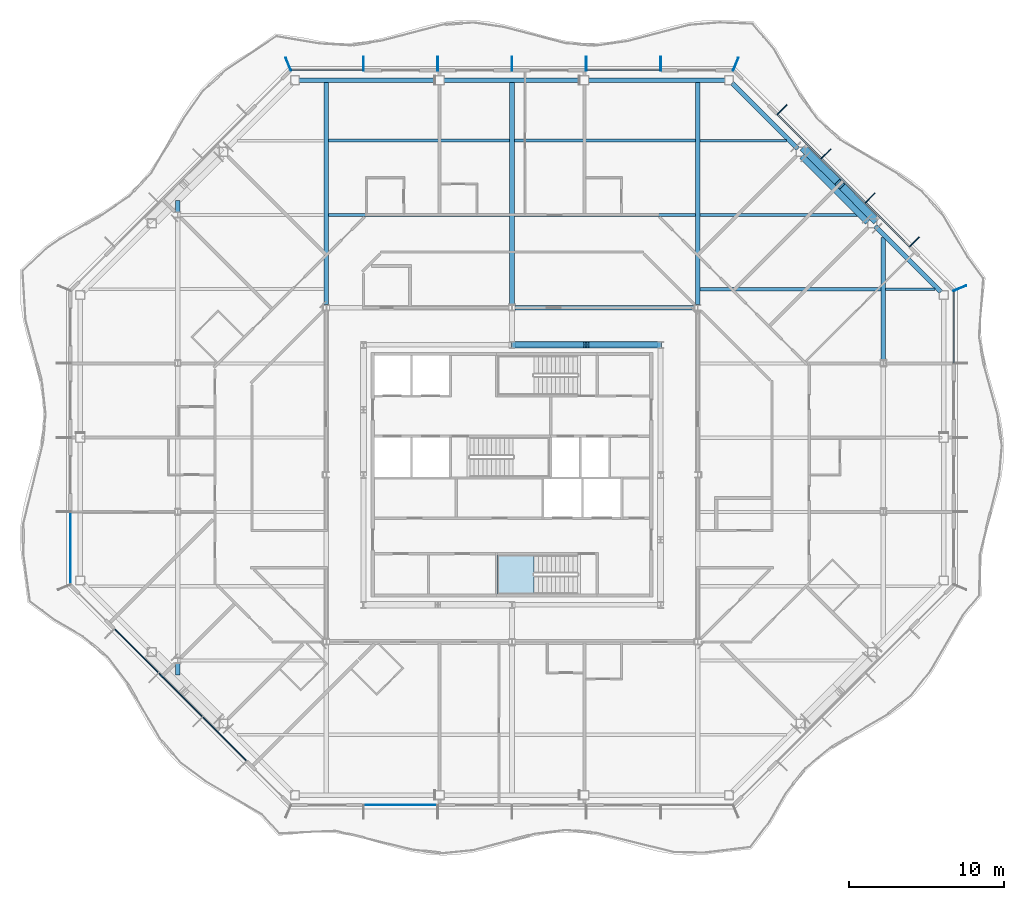
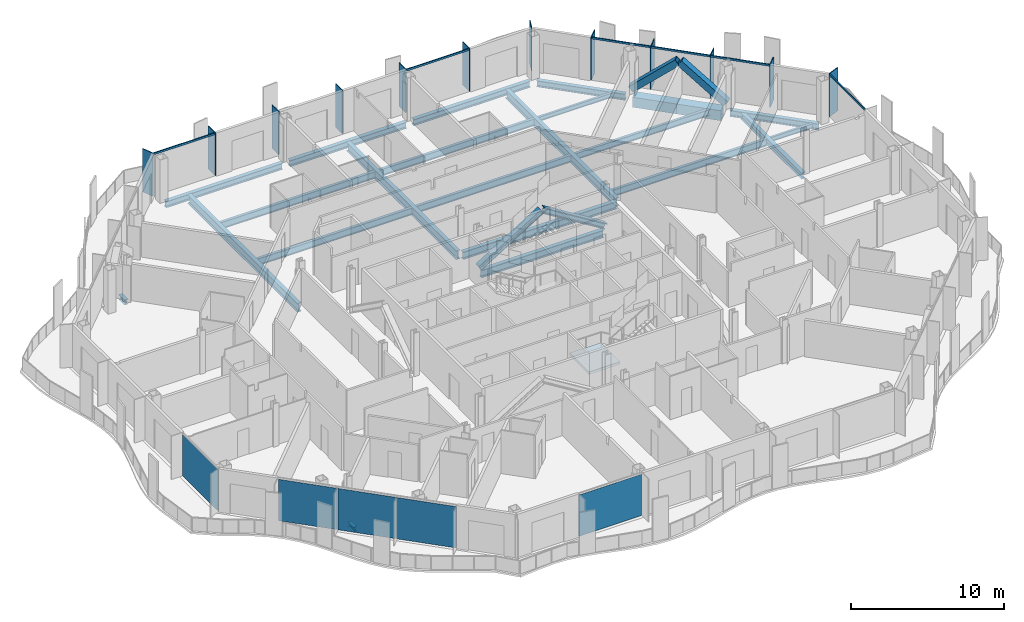
# One storey, part 5 of 21: 23 beams, 22 members, 5 plates, 1 slab, 8 elements without a shape of their own.
"""IFC4 building model written with IfcOpenShell, lengths in metres."""

from ifc_helpers import new_model, si_unit, direction, frame, origin, origin_2d, place, context, subcontext, project, spatial, polyline, rectangle, hollow_rectangle, i_section, outline, extrude, material, layer, layer_set, material_profile, profile_set, type_object, element, aggregate, save


model = new_model("IFC4")

# Units and contexts
model_context = context("Model", 3, precision=1e-05, world=origin(), true_north=direction((0.0, 1.0)))
body_context = subcontext(model_context, "Body", "Model", "MODEL_VIEW")
ifc_project = project(units=[si_unit("LENGTHUNIT", "METRE"), si_unit("AREAUNIT", "SQUARE_METRE"), si_unit("VOLUMEUNIT", "CUBIC_METRE"), si_unit("PLANEANGLEUNIT", "RADIAN"), si_unit("MASSUNIT", "GRAM", prefix="KILO")], contexts=[model_context])

# Site, building, storey
site_placement = place(None, origin())
site = spatial("IfcSite", under=ifc_project, at=site_placement, CompositionType="ELEMENT")
building_placement = place(site_placement, origin())
building = spatial("IfcBuilding", under=site, at=building_placement, Name="Cairn Pilgrim Tower", CompositionType="ELEMENT")
storey_placement = place(building_placement, frame((0.0, 0.0, 150.60009765625)))
storey = spatial("IfcBuildingStorey", under=building, at=storey_placement, Name="L37", CompositionType="ELEMENT", Elevation=150.60009765625)

# Members
ifc_material_1 = material(Name="Structural steel S460M", Category="steel")
ifc_material_profile_1 = material_profile(ifc_material_1, hollow_rectangle(XDim=0.5, YDim=0.5, WallThickness=0.030029296875, at=origin_2d()), Name="BOX 500x500x30")
ifc_profile_set_1 = profile_set([ifc_material_profile_1], Name="Structural steel S460M")
member_type_1 = type_object("IfcMemberType", Name="BOX 500x500x30 BRACE", PredefinedType="BRACE", material=ifc_profile_set_1)
for number, where, z_axis, x_axis, name in (
    (1, (30.643310546875, 18.89794921875, 0.14990234375), (-0.53283023714, 0.540432836476, 0.651171473306), (-0.712097799006, -0.702080283622, 0.0), "XB-NE2-NE3-1"),
    (2, (26.097900390625, 23.443359375, 0.14990234375), (0.540432836476, -0.53283023714, 0.651171473306), (0.702080283622, 0.712097799006, 0.0), "XB-NE2-NE3-2"),
):
    element("IfcMember", number, at=place(storey_placement, frame(where, z_axis=z_axis, x_axis=x_axis)), inside=storey, type_object=member_type_1, Name=name, PredefinedType="BRACE", context=body_context, shape_type="SweptSolid", body=[
        extrude(hollow_rectangle(XDim=0.5, YDim=0.5, WallThickness=0.030029296875, at=origin_2d()), origin(), (0.0, 0.0, 1.0), 4.142578125),
    ])

# Beams
ifc_material_2 = material(Name="Structural steel S355J2", Category="steel")
ifc_material_profile_2 = material_profile(ifc_material_2, hollow_rectangle(XDim=0.699951171875, YDim=0.800048828125, WallThickness=0.0400390625, at=origin_2d()), Name="BOX 700x800x40")
ifc_profile_set_2 = profile_set([ifc_material_profile_2], Name="Structural steel S355J2")
beam_type_1 = type_object("IfcBeamType", Name="BOX 700x800x40 RING GIRDER", PredefinedType="SPANDREL", material=ifc_profile_set_2)
beam_1_placement = place(storey_placement, frame((30.284912109375, 18.84228515625, -0.550048828125), z_axis=(-0.707106781187, 0.707106781187, 0.0), x_axis=(-0.707106781187, -0.707106781187, 0.0)))
element("IfcBeam", 3, at=beam_1_placement, inside=storey, type_object=beam_type_1, Name="RG2-NE2-NE3-1", PredefinedType="SPANDREL", context=body_context, shape_type="SweptSolid", body=[
    extrude(hollow_rectangle(XDim=0.699951171875, YDim=0.800048828125, WallThickness=0.0400390625, at=origin_2d()), origin(), (0.0, 0.0, 1.0), 3.0),
])
beam_2_placement = place(storey_placement, frame((28.16357421875, 20.963623046875, -0.550048828125), z_axis=(-0.707106781187, 0.707106781187, 0.0), x_axis=(-0.707106781187, -0.707106781187, 0.0)))
element("IfcBeam", 4, at=beam_2_placement, inside=storey, type_object=beam_type_1, Name="RG2-NE2-NE3-2", PredefinedType="SPANDREL", context=body_context, shape_type="SweptSolid", body=[
    extrude(hollow_rectangle(XDim=0.699951171875, YDim=0.800048828125, WallThickness=0.0400390625, at=origin_2d()), origin(), (0.0, 0.0, 1.0), 2.999755859375),
])

# Curtain wall, members
ifc_material_3 = material(Name="Aluminium alloy 6063-T6 bronze anodised with Bronze tinted laminated low-E glass 8+16+8.8", Category="aluminium")
curtain_wall_type_1 = type_object("IfcCurtainWallType", Name="CHAMFER CORNER CURTAIN WALL", PredefinedType="NOTDEFINED", material=ifc_material_3)
curtain_wall_1_placement = place(storey_placement, origin())
curtain_wall_1 = element("IfcCurtainWall", 5, at=curtain_wall_1_placement, inside=storey, type_object=curtain_wall_type_1, Name="Chamfer Corner Curtain Wall NE", PredefinedType="NOTDEFINED")
ifc_material_4 = material(Name="Aluminium alloy 6063-T6 bronze anodised", Category="aluminium")
ifc_material_profile_3 = material_profile(ifc_material_4, rectangle(XDim=0.89990234375, YDim=0.06005859375, at=origin_2d()), Name="FIN MULLION 60x900 BRONZE")
ifc_profile_set_3 = profile_set([ifc_material_profile_3], Name="Aluminium alloy 6063-T6 bronze anodised")
member_type_2 = type_object("IfcMemberType", Name="FIN MULLION 60x900 BRONZE", PredefinedType="MULLION", material=ifc_profile_set_3)
member_1_placement = place(storey_placement, frame((36.137939453125, 14.457275390625, 0.0), z_axis=(0.0, 0.0, 1.0), x_axis=(0.923879532511, 0.382683432365, 0.0)))
member_1 = element("IfcMember", 6, at=member_1_placement, type_object=member_type_2, Name="Fin mullion NE1", PredefinedType="MULLION", context=body_context, shape_type="SweptSolid", body=[
    extrude(rectangle(XDim=0.89990234375, YDim=0.06005859375, at=origin_2d()), origin(), (0.0, 0.0, 1.0), 3.449951171875),
])
member_2_placement = place(storey_placement, frame((33.1962890625, 17.444091796875, 0.0), z_axis=(0.0, 0.0, 1.0), x_axis=(0.707106781187, 0.707106781187, 0.0)))
member_2 = element("IfcMember", 7, at=member_2_placement, type_object=member_type_2, Name="Fin mullion NE2", PredefinedType="MULLION", context=body_context, shape_type="SweptSolid", body=[
    extrude(rectangle(XDim=0.89990234375, YDim=0.06005859375, at=origin_2d()), origin(), (0.0, 0.0, 1.0), 3.449951171875),
])
member_3_placement = place(storey_placement, frame((30.345458984375, 20.294921875, 0.0), z_axis=(0.0, 0.0, 1.0), x_axis=(0.707106781187, 0.707106781187, 0.0)))
member_3 = element("IfcMember", 8, at=member_3_placement, type_object=member_type_2, Name="Fin mullion NE3", PredefinedType="MULLION", context=body_context, shape_type="SweptSolid", body=[
    extrude(rectangle(XDim=0.89990234375, YDim=0.06005859375, at=origin_2d()), origin(), (0.0, 0.0, 1.0), 3.449951171875),
])
member_4_placement = place(storey_placement, frame((27.494873046875, 23.1455078125, 0.0), z_axis=(0.0, 0.0, 1.0), x_axis=(0.707106781187, 0.707106781187, 0.0)))
member_4 = element("IfcMember", 9, at=member_4_placement, type_object=member_type_2, Name="Fin mullion NE4", PredefinedType="MULLION", context=body_context, shape_type="SweptSolid", body=[
    extrude(rectangle(XDim=0.89990234375, YDim=0.06005859375, at=origin_2d()), origin(), (0.0, 0.0, 1.0), 3.449951171875),
])
member_5_placement = place(storey_placement, frame((24.64404296875, 25.996337890625, 0.0), z_axis=(0.0, 0.0, 1.0), x_axis=(0.707106781187, 0.707106781187, 0.0)))
member_5 = element("IfcMember", 10, at=member_5_placement, type_object=member_type_2, Name="Fin mullion NE5", PredefinedType="MULLION", context=body_context, shape_type="SweptSolid", body=[
    extrude(rectangle(XDim=0.89990234375, YDim=0.06005859375, at=origin_2d()), origin(), (0.0, 0.0, 1.0), 3.449951171875),
])

curtain_wall_type_2 = type_object("IfcCurtainWallType", Name="TOWER STICK CURTAIN WALL NS", PredefinedType="NOTDEFINED", material=ifc_material_3)
curtain_wall_2_placement = place(storey_placement, origin())
curtain_wall_2 = element("IfcCurtainWall", 11, at=curtain_wall_2_placement, inside=storey, type_object=curtain_wall_type_2, Name="Tower Stick Curtain Wall Ns N", PredefinedType="NOTDEFINED")
member_6_placement = place(storey_placement, frame((21.6572265625, 28.93798828125, 0.0), z_axis=(0.0, 0.0, 1.0), x_axis=(0.382683432365, 0.923879532511, 0.0)))
member_6 = element("IfcMember", 12, at=member_6_placement, type_object=member_type_2, Name="Fin mullion N1", PredefinedType="MULLION", context=body_context, shape_type="SweptSolid", body=[
    extrude(rectangle(XDim=0.89990234375, YDim=0.06005859375, at=origin_2d()), origin(), (0.0, 0.0, 1.0), 3.449951171875),
])
member_7_placement = place(storey_placement, frame((16.800048828125, 28.969970703125, 0.0), z_axis=(0.0, 0.0, 1.0), x_axis=(0.0, 1.0, 0.0)))
member_7 = element("IfcMember", 13, at=member_7_placement, type_object=member_type_2, Name="Fin mullion N2", PredefinedType="MULLION", context=body_context, shape_type="SweptSolid", body=[
    extrude(rectangle(XDim=0.89990234375, YDim=0.06005859375, at=origin_2d()), origin(), (0.0, 0.0, 1.0), 3.449951171875),
])
member_8_placement = place(storey_placement, frame((12.0, 28.969970703125, 0.0), z_axis=(0.0, 0.0, 1.0), x_axis=(0.0, 1.0, 0.0)))
member_8 = element("IfcMember", 14, at=member_8_placement, type_object=member_type_2, Name="Fin mullion N3", PredefinedType="MULLION", context=body_context, shape_type="SweptSolid", body=[
    extrude(rectangle(XDim=0.89990234375, YDim=0.06005859375, at=origin_2d()), origin(), (0.0, 0.0, 1.0), 3.449951171875),
])
member_9_placement = place(storey_placement, frame((7.199951171875, 28.969970703125, 0.0), z_axis=(0.0, 0.0, 1.0), x_axis=(0.0, 1.0, 0.0)))
member_9 = element("IfcMember", 15, at=member_9_placement, type_object=member_type_2, Name="Fin mullion N4", PredefinedType="MULLION", context=body_context, shape_type="SweptSolid", body=[
    extrude(rectangle(XDim=0.89990234375, YDim=0.06005859375, at=origin_2d()), origin(), (0.0, 0.0, 1.0), 3.449951171875),
])
member_10_placement = place(storey_placement, frame((2.39990234375, 28.969970703125, 0.0), z_axis=(0.0, 0.0, 1.0), x_axis=(0.0, 1.0, 0.0)))
member_10 = element("IfcMember", 16, at=member_10_placement, type_object=member_type_2, Name="Fin mullion N5", PredefinedType="MULLION", context=body_context, shape_type="SweptSolid", body=[
    extrude(rectangle(XDim=0.89990234375, YDim=0.06005859375, at=origin_2d()), origin(), (0.0, 0.0, 1.0), 3.449951171875),
])
member_11_placement = place(storey_placement, frame((-2.39990234375, 28.969970703125, 0.0), z_axis=(0.0, 0.0, 1.0), x_axis=(0.0, 1.0, 0.0)))
member_11 = element("IfcMember", 17, at=member_11_placement, type_object=member_type_2, Name="Fin mullion N6", PredefinedType="MULLION", context=body_context, shape_type="SweptSolid", body=[
    extrude(rectangle(XDim=0.89990234375, YDim=0.06005859375, at=origin_2d()), origin(), (0.0, 0.0, 1.0), 3.449951171875),
])

# Curtain wall, member
curtain_wall_3_placement = place(storey_placement, origin())
curtain_wall_3 = element("IfcCurtainWall", 18, at=curtain_wall_3_placement, inside=storey, type_object=curtain_wall_type_1, Name="Chamfer Corner Curtain Wall NW", PredefinedType="NOTDEFINED")
member_12_placement = place(storey_placement, frame((-7.257080078125, 28.93798828125, 0.0), z_axis=(0.0, 0.0, 1.0), x_axis=(-0.382683432365, 0.923879532511, 0.0)))
member_12 = element("IfcMember", 19, at=member_12_placement, type_object=member_type_2, Name="Fin mullion NW1", PredefinedType="MULLION", context=body_context, shape_type="SweptSolid", body=[
    extrude(rectangle(XDim=0.89990234375, YDim=0.06005859375, at=origin_2d()), origin(), (0.0, 0.0, 1.0), 3.449951171875),
])
aggregate(curtain_wall_3, [member_12])

# Members
ifc_material_profile_4 = material_profile(ifc_material_1, i_section(OverallWidth=0.408935546875, OverallDepth=0.425048828125, WebThickness=0.03271484375, FlangeThickness=0.052490234375, FilletRadius=0.014892578125, at=origin_2d()), Name="HD 400x421")
ifc_profile_set_4 = profile_set([ifc_material_profile_4], Name="Structural steel S460M")
member_type_3 = type_object("IfcMemberType", Name="HD 400x421 BRACE", PredefinedType="BRACE", material=ifc_profile_set_4)
for number, where, z_axis, x_axis, name in (
    (20, (16.75830078125, 10.800048828125, 0.099853515625), (-0.851099832195, 0.0, 0.525003881545), (0.0, -1.0, 0.0), "KB-3A"),
    (21, (7.24169921875, 10.800048828125, 0.099853515625), (0.851099832195, 0.0, 0.525003881545), (0.0, 1.0, 0.0), "KB-3B"),
):
    element("IfcMember", number, at=place(storey_placement, frame(where, z_axis=z_axis, x_axis=x_axis)), inside=storey, type_object=member_type_3, Name=name, PredefinedType="BRACE", context=body_context, shape_type="SweptSolid", body=[
        extrude(i_section(OverallWidth=0.408935546875, OverallDepth=0.425048828125, WebThickness=0.03271484375, FlangeThickness=0.052490234375, FilletRadius=0.014892578125, at=origin_2d()), origin(), (0.0, 0.0, 1.0), 5.5283203125),
    ])

# Beams
ifc_material_profile_5 = material_profile(ifc_material_2, i_section(OverallWidth=0.300048828125, OverallDepth=0.39990234375, WebThickness=0.013427734375, FlangeThickness=0.02392578125, FilletRadius=0.027099609375, at=origin_2d()), Name="HEB 400")
ifc_profile_set_5 = profile_set([ifc_material_profile_5], Name="Structural steel S355J2")
beam_type_2 = type_object("IfcBeamType", Name="HEB 400 GIRDER", PredefinedType="BEAM", material=ifc_profile_set_5)
for number, where, z_axis, x_axis, name in (
    (22, (-14.39990234375, -10.545166015625, -0.35009765625), (0.0, 1.0, 0.0), (-1.0, 0.0, 0.0), "PG1-E1"),
    (23, (-14.39990234375, 19.3994140625, -0.35009765625), (0.0, 1.0, 0.0), (-1.0, 0.0, 0.0), "PG1-E2"),
):
    element("IfcBeam", number, at=place(storey_placement, frame(where, z_axis=z_axis, x_axis=x_axis)), inside=storey, type_object=beam_type_2, Name=name, PredefinedType="BEAM", context=body_context, shape_type="SweptSolid", body=[
        extrude(i_section(OverallWidth=0.300048828125, OverallDepth=0.39990234375, WebThickness=0.013427734375, FlangeThickness=0.02392578125, FilletRadius=0.027099609375, at=origin_2d()), origin(), (0.0, 0.0, 1.0), 0.74560546875),
    ])
ifc_material_profile_6 = material_profile(ifc_material_2, i_section(OverallWidth=0.300048828125, OverallDepth=0.5, WebThickness=0.014404296875, FlangeThickness=0.028076171875, FilletRadius=0.027099609375, at=origin_2d()), Name="HEB 500")
ifc_profile_set_6 = profile_set([ifc_material_profile_6], Name="Structural steel S355J2")
beam_type_3 = type_object("IfcBeamType", Name="HEB 500 GIRDER", PredefinedType="BEAM", material=ifc_profile_set_6)
beam_3_placement = place(storey_placement, frame((31.199951171875, 9.804443359375, -0.400146484375), z_axis=(0.0, 1.0, 0.0), x_axis=(-1.0, 0.0, 0.0)))
element("IfcBeam", 24, at=beam_3_placement, inside=storey, type_object=beam_type_3, Name="PG5-3", PredefinedType="BEAM", context=body_context, shape_type="SweptSolid", body=[
    extrude(i_section(OverallWidth=0.300048828125, OverallDepth=0.5, WebThickness=0.014404296875, FlangeThickness=0.028076171875, FilletRadius=0.027099609375, at=origin_2d()), origin(), (0.0, 0.0, 1.0), 7.940673828125),
])
ifc_material_profile_7 = material_profile(ifc_material_2, i_section(OverallWidth=0.300048828125, OverallDepth=0.5, WebThickness=0.014404296875, FlangeThickness=0.028076171875, FilletRadius=0.027099609375, at=origin_2d()), Name="HEB 500")
ifc_profile_set_7 = profile_set([ifc_material_profile_7], Name="Structural steel S355J2")
beam_type_4 = type_object("IfcBeamType", Name="HEB 500 RING GIRDER", PredefinedType="SPANDREL", material=ifc_profile_set_7)
beam_4_placement = place(storey_placement, frame((34.9091796875, 14.218017578125, -0.400146484375), z_axis=(-0.707086435425, 0.707127126363, 0.0), x_axis=(-0.707127126363, -0.707086435425, 0.0)))
element("IfcBeam", 25, at=beam_4_placement, inside=storey, type_object=beam_type_4, Name="RG2-NE1-NE2", PredefinedType="SPANDREL", context=body_context, shape_type="SweptSolid", body=[
    extrude(i_section(OverallWidth=0.300048828125, OverallDepth=0.5, WebThickness=0.014404296875, FlangeThickness=0.028076171875, FilletRadius=0.027099609375, at=origin_2d()), origin(), (0.0, 0.0, 1.0), 5.999755859375),
])
beam_5_placement = place(storey_placement, frame((25.66064453125, 23.466796875, -0.400146484375), z_axis=(-0.707127127534, 0.707086434254, 0.0), x_axis=(-0.707086434254, -0.707127127534, 0.0)))
element("IfcBeam", 26, at=beam_5_placement, inside=storey, type_object=beam_type_4, Name="RG2-NE3-N1", PredefinedType="SPANDREL", context=body_context, shape_type="SweptSolid", body=[
    extrude(i_section(OverallWidth=0.300048828125, OverallDepth=0.5, WebThickness=0.014404296875, FlangeThickness=0.028076171875, FilletRadius=0.027099609375, at=origin_2d()), origin(), (0.0, 0.0, 1.0), 5.99951171875),
])
for number, where, z_axis, x_axis, name in (
    (27, (20.957275390625, 27.89990234375, -0.400146484375), (-1.0, 0.0, 0.0), (0.0, -1.0, 0.0), "RG2-N1-N2"),
    (28, (11.605712890625, 27.89990234375, -0.400146484375), (-1.0, 0.0, 0.0), (0.0, -1.0, 0.0), "RG2-N2-N3"),
    (29, (2.25439453125, 27.89990234375, -0.400146484375), (-1.0, 0.0, 0.0), (0.0, -1.0, 0.0), "RG2-N3-NW1"),
):
    element("IfcBeam", number, at=place(storey_placement, frame(where, z_axis=z_axis, x_axis=x_axis)), inside=storey, type_object=beam_type_4, Name=name, PredefinedType="SPANDREL", context=body_context, shape_type="SweptSolid", body=[
        extrude(i_section(OverallWidth=0.300048828125, OverallDepth=0.5, WebThickness=0.014404296875, FlangeThickness=0.028076171875, FilletRadius=0.027099609375, at=origin_2d()), origin(), (0.0, 0.0, 1.0), 8.8115234375),
    ])
ifc_material_profile_8 = material_profile(ifc_material_2, i_section(OverallWidth=0.300048828125, OverallDepth=0.60009765625, WebThickness=0.015380859375, FlangeThickness=0.030029296875, FilletRadius=0.027099609375, at=origin_2d()), Name="HEB 600")
ifc_profile_set_8 = profile_set([ifc_material_profile_8], Name="Structural steel S355J2")
beam_type_5 = type_object("IfcBeamType", Name="HEB 600 CORE BEAM", PredefinedType="BEAM", material=ifc_profile_set_8)
beam_6_placement = place(storey_placement, frame((16.61279296875, 10.800048828125, -0.4501953125), z_axis=(-1.0, 0.0, 0.0), x_axis=(0.0, -1.0, 0.0)))
element("IfcBeam", 30, at=beam_6_placement, inside=storey, type_object=beam_type_5, Name="CB-5", PredefinedType="BEAM", context=body_context, shape_type="SweptSolid", body=[
    extrude(i_section(OverallWidth=0.300048828125, OverallDepth=0.60009765625, WebThickness=0.015380859375, FlangeThickness=0.030029296875, FilletRadius=0.027099609375, at=origin_2d()), origin(), (0.0, 0.0, 1.0), 9.2255859375),
])
ifc_material_profile_9 = material_profile(ifc_material_2, i_section(OverallWidth=0.300048828125, OverallDepth=0.60009765625, WebThickness=0.015380859375, FlangeThickness=0.030029296875, FilletRadius=0.027099609375, at=origin_2d()), Name="HEB 600")
ifc_profile_set_9 = profile_set([ifc_material_profile_9], Name="Structural steel S355J2")
beam_type_6 = type_object("IfcBeamType", Name="HEB 600 INNER GIRDER", PredefinedType="BEAM", material=ifc_profile_set_9)
beam_7_placement = place(storey_placement, frame((7.3994140625, 13.199951171875, -0.4501953125), z_axis=(1.0, 0.0, 0.0), x_axis=(0.0, 1.0, 0.0)))
element("IfcBeam", 31, at=beam_7_placement, inside=storey, type_object=beam_type_6, Name="IG2-2", PredefinedType="BEAM", context=body_context, shape_type="SweptSolid", body=[
    extrude(i_section(OverallWidth=0.300048828125, OverallDepth=0.60009765625, WebThickness=0.015380859375, FlangeThickness=0.030029296875, FilletRadius=0.027099609375, at=origin_2d()), origin(), (0.0, 0.0, 1.0), 11.60107421875),
])
ifc_material_profile_10 = material_profile(ifc_material_2, i_section(OverallWidth=0.300048828125, OverallDepth=0.699951171875, WebThickness=0.01708984375, FlangeThickness=0.031982421875, FilletRadius=0.027099609375, at=origin_2d()), Name="HEB 700")
ifc_profile_set_10 = profile_set([ifc_material_profile_10], Name="Structural steel S355J2")
beam_type_7 = type_object("IfcBeamType", Name="HEB 700 GIRDER", PredefinedType="BEAM", material=ifc_profile_set_10)
for number, where, z_axis, x_axis, name in (
    (32, (-4.800048828125, 13.3994140625, -0.5), (0.0, 1.0, 0.0), (-1.0, 0.0, 0.0), "PG2-4"),
    (33, (7.199951171875, 13.3994140625, -0.5), (0.0, 1.0, 0.0), (-1.0, 0.0, 0.0), "PG3-2"),
    (34, (19.199951171875, 13.3994140625, -0.5), (0.0, 1.0, 0.0), (-1.0, 0.0, 0.0), "PG4-4"),
):
    element("IfcBeam", number, at=place(storey_placement, frame(where, z_axis=z_axis, x_axis=x_axis)), inside=storey, type_object=beam_type_7, Name=name, PredefinedType="BEAM", context=body_context, shape_type="SweptSolid", body=[
        extrude(i_section(OverallWidth=0.300048828125, OverallDepth=0.699951171875, WebThickness=0.01708984375, FlangeThickness=0.031982421875, FilletRadius=0.027099609375, at=origin_2d()), origin(), (0.0, 0.0, 1.0), 14.380615234375),
    ])
ifc_material_profile_11 = material_profile(ifc_material_2, i_section(OverallWidth=0.169921875, OverallDepth=0.360107421875, WebThickness=0.008056640625, FlangeThickness=0.0126953125, FilletRadius=0.01806640625, at=origin_2d()), Name="IPE 360")
ifc_profile_set_11 = profile_set([ifc_material_profile_11], Name="Structural steel S355J2")
beam_type_8 = type_object("IfcBeamType", Name="IPE 360 SECONDARY BEAM", PredefinedType="JOIST", material=ifc_profile_set_11)
beam_8_placement = place(storey_placement, frame((31.35009765625, 14.39990234375, -0.330078125), z_axis=(1.0, 0.0, 0.0), x_axis=(0.0, 1.0, 0.0)))
element("IfcBeam", 35, at=beam_8_placement, inside=storey, type_object=beam_type_8, Name="SB7-4", PredefinedType="JOIST", context=body_context, shape_type="SweptSolid", body=[
    extrude(i_section(OverallWidth=0.169921875, OverallDepth=0.360107421875, WebThickness=0.008056640625, FlangeThickness=0.0126953125, FilletRadius=0.01806640625, at=origin_2d()), origin(), (0.0, 0.0, 1.0), 3.195068359375),
])
beam_9_placement = place(storey_placement, frame((19.35009765625, 24.0, -0.330078125), z_axis=(1.0, 0.0, 0.0), x_axis=(0.0, 1.0, 0.0)))
element("IfcBeam", 36, at=beam_9_placement, inside=storey, type_object=beam_type_8, Name="SB9-4", PredefinedType="JOIST", context=body_context, shape_type="SweptSolid", body=[
    extrude(i_section(OverallWidth=0.169921875, OverallDepth=0.360107421875, WebThickness=0.008056640625, FlangeThickness=0.0126953125, FilletRadius=0.01806640625, at=origin_2d()), origin(), (0.0, 0.0, 1.0), 5.594970703125),
])
ifc_material_profile_12 = material_profile(ifc_material_2, i_section(OverallWidth=0.199951171875, OverallDepth=0.5, WebThickness=0.01025390625, FlangeThickness=0.01611328125, FilletRadius=0.02099609375, at=origin_2d()), Name="IPE 500")
ifc_profile_set_12 = profile_set([ifc_material_profile_12], Name="Structural steel S355J2")
beam_type_9 = type_object("IfcBeamType", Name="IPE 500 SECONDARY BEAM", PredefinedType="JOIST", material=ifc_profile_set_12)
beam_10_placement = place(storey_placement, frame((19.35009765625, 19.199951171875, -0.400146484375), z_axis=(1.0, 0.0, 0.0), x_axis=(0.0, 1.0, 0.0)))
element("IfcBeam", 37, at=beam_10_placement, inside=storey, type_object=beam_type_9, Name="SB8-4", PredefinedType="JOIST", context=body_context, shape_type="SweptSolid", body=[
    extrude(i_section(OverallWidth=0.199951171875, OverallDepth=0.5, WebThickness=0.01025390625, FlangeThickness=0.01611328125, FilletRadius=0.02099609375, at=origin_2d()), origin(), (0.0, 0.0, 1.0), 10.39501953125),
])
ifc_material_profile_13 = material_profile(ifc_material_2, i_section(OverallWidth=0.2099609375, OverallDepth=0.550048828125, WebThickness=0.010986328125, FlangeThickness=0.01708984375, FilletRadius=0.02392578125, at=origin_2d()), Name="IPE 550")
ifc_profile_set_13 = profile_set([ifc_material_profile_13], Name="Structural steel S355J2")
beam_type_10 = type_object("IfcBeamType", Name="IPE 550 SECONDARY BEAM", PredefinedType="JOIST", material=ifc_profile_set_13)
for number, where, z_axis, x_axis, name in (
    (38, (19.35009765625, 14.39990234375, -0.425048828125), (1.0, 0.0, 0.0), (0.0, 1.0, 0.0), "SB7-3"),
    (39, (-4.64990234375, 19.199951171875, -0.425048828125), (1.0, 0.0, 0.0), (0.0, 1.0, 0.0), "SB8-2"),
    (40, (7.35009765625, 19.199951171875, -0.425048828125), (1.0, 0.0, 0.0), (0.0, 1.0, 0.0), "SB8-3"),
    (41, (-4.64990234375, 24.0, -0.425048828125), (1.0, 0.0, 0.0), (0.0, 1.0, 0.0), "SB9-2"),
    (42, (7.35009765625, 24.0, -0.425048828125), (1.0, 0.0, 0.0), (0.0, 1.0, 0.0), "SB9-3"),
):
    element("IfcBeam", number, at=place(storey_placement, frame(where, z_axis=z_axis, x_axis=x_axis)), inside=storey, type_object=beam_type_10, Name=name, PredefinedType="JOIST", context=body_context, shape_type="SweptSolid", body=[
        extrude(i_section(OverallWidth=0.2099609375, OverallDepth=0.550048828125, WebThickness=0.010986328125, FlangeThickness=0.01708984375, FilletRadius=0.02392578125, at=origin_2d()), origin(), (0.0, 0.0, 1.0), 11.699951171875),
    ])

# Curtain wall, member
curtain_wall_type_3 = type_object("IfcCurtainWallType", Name="TOWER STICK CURTAIN WALL EW", PredefinedType="NOTDEFINED", material=ifc_material_3)
curtain_wall_4_placement = place(storey_placement, origin())
curtain_wall_4 = element("IfcCurtainWall", 43, at=curtain_wall_4_placement, inside=storey, type_object=curtain_wall_type_3, Name="Tower Stick Curtain Wall Ew E", PredefinedType="NOTDEFINED")
ifc_material_profile_14 = material_profile(ifc_material_4, rectangle(XDim=0.080078125, YDim=0.14990234375, at=origin_2d()), Name="TRANSOM 80x150 BRONZE")
ifc_profile_set_14 = profile_set([ifc_material_profile_14], Name="Aluminium alloy 6063-T6 bronze anodised")
member_type_4 = type_object("IfcMemberType", Name="TRANSOM 80x150 BRONZE", PredefinedType="USERDEFINED", material=ifc_profile_set_14)
member_13_placement = place(storey_placement, frame((35.75, 9.6298828125, 3.375), z_axis=(0.0, 1.0, 0.0), x_axis=(-1.0, 0.0, 0.0)))
member_13 = element("IfcMember", 44, at=member_13_placement, type_object=member_type_4, Name="Transom E4", ObjectType="TRANSOM", PredefinedType="USERDEFINED", context=body_context, shape_type="SweptSolid", body=[
    extrude(rectangle(XDim=0.080078125, YDim=0.14990234375, at=origin_2d()), origin(), (0.0, 0.0, 1.0), 4.62646484375),
])
aggregate(curtain_wall_4, [member_13])

# Member
member_14_placement = place(storey_placement, frame((32.878173828125, 17.16845703125, 3.375), z_axis=(-0.70713751761, 0.707076043427, 0.0), x_axis=(-0.707076043427, -0.70713751761, 0.0)))
member_14 = element("IfcMember", 45, at=member_14_placement, type_object=member_type_4, Name="Transom NE2", ObjectType="TRANSOM", PredefinedType="USERDEFINED", context=body_context, shape_type="SweptSolid", body=[
    extrude(rectangle(XDim=0.080078125, YDim=0.14990234375, at=origin_2d()), origin(), (0.0, 0.0, 1.0), 3.971435546875),
])

member_15_placement = place(storey_placement, frame((30.02734375, 20.01904296875, 3.375), z_axis=(-0.707106781187, 0.707106781187, 0.0), x_axis=(-0.707106781187, -0.707106781187, 0.0)))
member_15 = element("IfcMember", 46, at=member_15_placement, type_object=member_type_4, Name="Transom NE3", ObjectType="TRANSOM", PredefinedType="USERDEFINED", context=body_context, shape_type="SweptSolid", body=[
    extrude(rectangle(XDim=0.080078125, YDim=0.14990234375, at=origin_2d()), origin(), (0.0, 0.0, 1.0), 3.9716796875),
])

member_16_placement = place(storey_placement, frame((27.1767578125, 22.869873046875, 3.375), z_axis=(-0.70713751761, 0.707076043427, 0.0), x_axis=(-0.707076043427, -0.70713751761, 0.0)))
member_16 = element("IfcMember", 47, at=member_16_placement, type_object=member_type_4, Name="Transom NE4", ObjectType="TRANSOM", PredefinedType="USERDEFINED", context=body_context, shape_type="SweptSolid", body=[
    extrude(rectangle(XDim=0.080078125, YDim=0.14990234375, at=origin_2d()), origin(), (0.0, 0.0, 1.0), 3.971435546875),
])

aggregate(curtain_wall_1, [member_1, member_2, member_3, member_4, member_5, member_14, member_15, member_16])

member_17_placement = place(storey_placement, frame((16.77001953125, 28.550048828125, 3.375), z_axis=(-1.0, 0.0, 0.0), x_axis=(0.0, -1.0, 0.0)))
member_17 = element("IfcMember", 48, at=member_17_placement, type_object=member_type_4, Name="Transom N2", ObjectType="TRANSOM", PredefinedType="USERDEFINED", context=body_context, shape_type="SweptSolid", body=[
    extrude(rectangle(XDim=0.080078125, YDim=0.14990234375, at=origin_2d()), origin(), (0.0, 0.0, 1.0), 4.739990234375),
])

member_18_placement = place(storey_placement, frame((-2.429931640625, 28.550048828125, 3.375), z_axis=(-1.0, 0.0, 0.0), x_axis=(0.0, -1.0, 0.0)))
member_18 = element("IfcMember", 49, at=member_18_placement, type_object=member_type_4, Name="Transom N6", ObjectType="TRANSOM", PredefinedType="USERDEFINED", context=body_context, shape_type="SweptSolid", body=[
    extrude(rectangle(XDim=0.080078125, YDim=0.14990234375, at=origin_2d()), origin(), (0.0, 0.0, 1.0), 4.62646484375),
])

aggregate(curtain_wall_2, [member_6, member_7, member_8, member_9, member_10, member_11, member_17, member_18])

# Curtain wall, plates
curtain_wall_5_placement = place(storey_placement, origin())
curtain_wall_5 = element("IfcCurtainWall", 50, at=curtain_wall_5_placement, inside=storey, type_object=curtain_wall_type_1, Name="Chamfer Corner Curtain Wall SW", PredefinedType="NOTDEFINED")
ifc_material_5 = material(Name="Bronze anodised aluminium spandrel panel with mineral wool insulation", Category="aluminium")
ifc_layer_1 = layer(ifc_material_5, 0.06005859375)
ifc_layer_set_1 = layer_set([ifc_layer_1], Name="SPANDREL PANEL 3972x3300")
plate_type_1 = type_object("IfcPlateType", Name="SPANDREL PANEL 3972x3300", PredefinedType="CURTAIN_PANEL", material=ifc_layer_set_1)
plate_1_placement = place(storey_placement, frame((-17.073974609375, -8.972412109375, 0.0), z_axis=(0.0, 0.0, 1.0), x_axis=(0.707106781187, -0.707106781187, 0.0)))
plate_1 = element("IfcPlate", 51, at=plate_1_placement, type_object=plate_type_1, Name="Spandrel Panel SW2-1", PredefinedType="CURTAIN_PANEL", context=body_context, shape_type="SweptSolid", body=[
    extrude(rectangle(XDim=3.971435546875, YDim=0.06005859375, at=origin_2d()), origin(), (0.0, 0.0, 1.0), 3.300048828125),
])
plate_2_placement = place(storey_placement, frame((-14.22314453125, -11.8232421875, 0.0), z_axis=(0.0, 0.0, 1.0), x_axis=(0.707106781187, -0.707106781187, 0.0)))
plate_2 = element("IfcPlate", 52, at=plate_2_placement, type_object=plate_type_1, Name="Spandrel Panel SW3-1", PredefinedType="CURTAIN_PANEL", context=body_context, shape_type="SweptSolid", body=[
    extrude(rectangle(XDim=3.971435546875, YDim=0.06005859375, at=origin_2d()), origin(), (0.0, 0.0, 1.0), 3.300048828125),
])
plate_3_placement = place(storey_placement, frame((-11.37255859375, -14.673828125, 0.0), z_axis=(0.0, 0.0, 1.0), x_axis=(0.707106781187, -0.707106781187, 0.0)))
plate_3 = element("IfcPlate", 53, at=plate_3_placement, type_object=plate_type_1, Name="Spandrel Panel SW4-1", PredefinedType="CURTAIN_PANEL", context=body_context, shape_type="SweptSolid", body=[
    extrude(rectangle(XDim=3.971435546875, YDim=0.06005859375, at=origin_2d()), origin(), (0.0, 0.0, 1.0), 3.300048828125),
])
aggregate(curtain_wall_5, [plate_1, plate_2, plate_3])

# Stair, slab
ifc_material_6 = material(Name="Concrete C32/40", Category="concrete")
stair_type = type_object("IfcStairType", Name="EXIT STAIR 1200", PredefinedType="HALF_TURN_STAIR", material=ifc_material_6)
stair_placement = place(storey_placement, origin())
stair = element("IfcStair", 54, at=stair_placement, inside=storey, type_object=stair_type, Name="L37 Exit Stair A", PredefinedType="HALF_TURN_STAIR")
ifc_layer_2 = layer(ifc_material_6, 0.199951171875)
ifc_layer_set_2 = layer_set([ifc_layer_2], Name="STAIR LANDING 200")
slab_type = type_object("IfcSlabType", Name="STAIR LANDING 200", PredefinedType="LANDING", material=ifc_layer_set_2)
slab_placement = place(storey_placement, frame((0.0, 0.0, 1.599853515625)))
slab = element("IfcSlab", 55, at=slab_placement, type_object=slab_type, Name="ST-A landing 1", PredefinedType="LANDING", context=body_context, shape_type="SweptSolid", body=[
    extrude(outline(polyline([(8.625, -2.77490234375), (6.27490234375, -2.77490234375), (6.27490234375, -5.300048828125), (8.625, -5.300048828125), (8.625, -2.77490234375)])), origin(), (0.0, 0.0, 1.0), 0.199951171875),
])
aggregate(stair, [slab])

# Curtain wall, plate
curtain_wall_6_placement = place(storey_placement, origin())
curtain_wall_6 = element("IfcCurtainWall", 56, at=curtain_wall_6_placement, inside=storey, type_object=curtain_wall_type_3, Name="Tower Stick Curtain Wall Ew W", PredefinedType="NOTDEFINED")
ifc_material_7 = material(Name="Bronze tinted laminated low-E glass 8+16+8.8", Category="glass")
ifc_layer_3 = layer(ifc_material_7, 0.033935546875)
ifc_layer_set_3 = layer_set([ifc_layer_3], Name="VISION GLAZING 4626x3300")
plate_type_2 = type_object("IfcPlateType", Name="VISION GLAZING 4626x3300", PredefinedType="CURTAIN_PANEL", material=ifc_layer_set_3)
plate_4_placement = place(storey_placement, frame((-21.35009765625, -2.34326171875, 0.0), z_axis=(0.0, 0.0, 1.0), x_axis=(0.0, -1.0, 0.0)))
plate_4 = element("IfcPlate", 57, at=plate_4_placement, type_object=plate_type_2, Name="Vision Glazing W4-1", PredefinedType="CURTAIN_PANEL", context=body_context, shape_type="SweptSolid", body=[
    extrude(rectangle(XDim=4.62646484375, YDim=0.033935546875, at=origin_2d()), origin(), (0.0, 0.0, 1.0), 3.300048828125),
])
aggregate(curtain_wall_6, [plate_4])

curtain_wall_7_placement = place(storey_placement, origin())
curtain_wall_7 = element("IfcCurtainWall", 58, at=curtain_wall_7_placement, inside=storey, type_object=curtain_wall_type_2, Name="Tower Stick Curtain Wall Ns S", PredefinedType="NOTDEFINED")
ifc_layer_4 = layer(ifc_material_7, 0.033935546875)
ifc_layer_set_4 = layer_set([ifc_layer_4], Name="VISION GLAZING 4740x3300")
plate_type_3 = type_object("IfcPlateType", Name="VISION GLAZING 4740x3300", PredefinedType="CURTAIN_PANEL", material=ifc_layer_set_4)
plate_5_placement = place(storey_placement, frame((0.0, -18.949951171875, 0.0), z_axis=(0.0, 0.0, 1.0), x_axis=(1.0, 0.0, 0.0)))
plate_5 = element("IfcPlate", 59, at=plate_5_placement, type_object=plate_type_3, Name="Vision Glazing S2-1", PredefinedType="CURTAIN_PANEL", context=body_context, shape_type="SweptSolid", body=[
    extrude(rectangle(XDim=4.739990234375, YDim=0.033935546875, at=origin_2d()), origin(), (0.0, 0.0, 1.0), 3.300048828125),
])
aggregate(curtain_wall_7, [plate_5])

save(model, "model.ifc")
